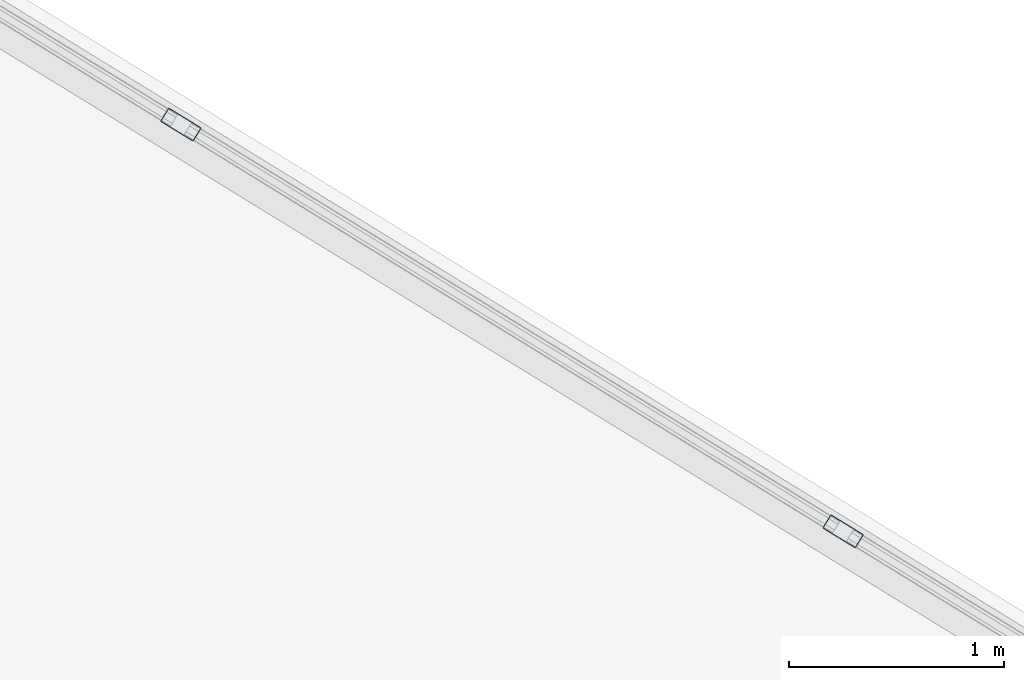
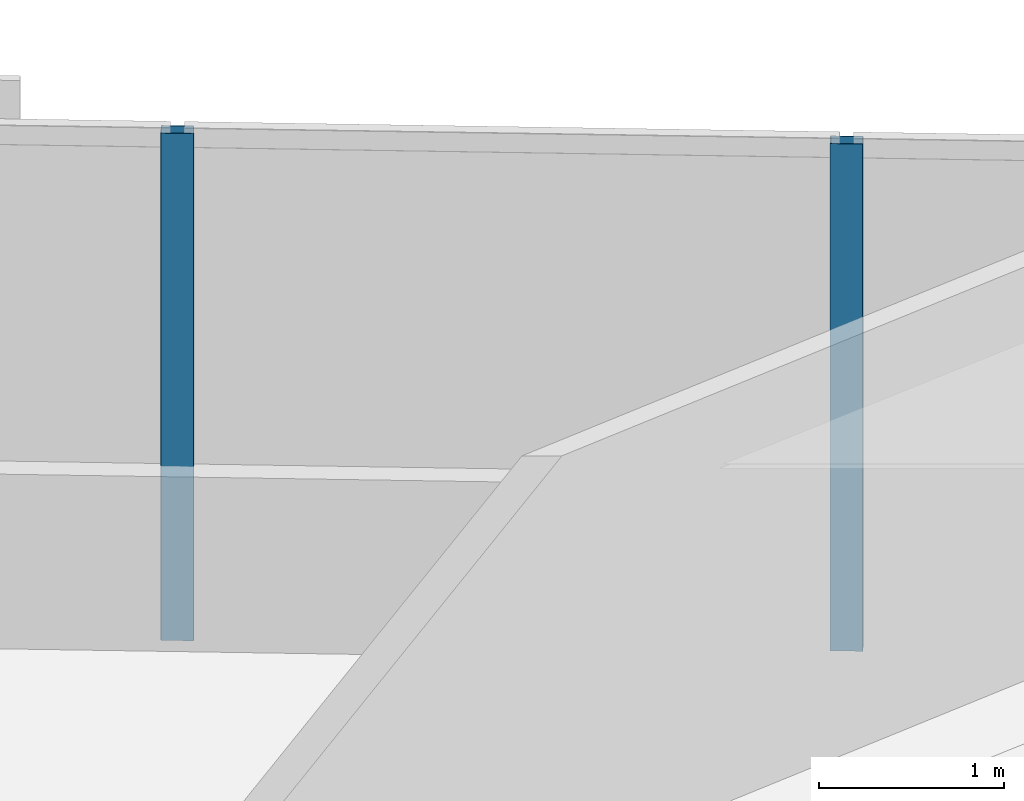
# One storey, part 8 of 18: 2 members, 1 element without a shape of its own.
"""IFC4 building model written with IfcOpenShell, lengths in metres."""

from ifc_helpers import new_model, si_unit, direction, frame, origin, origin_2d, place, context, subcontext, project, spatial, hollow_rectangle, extrude, material, material_profile, profile_set, type_object, element, aggregate, save


model = new_model("IFC4")

# Units and contexts
model_context = context("Model", 3, precision=1e-05, world=origin(), true_north=direction((0.0, 1.0)))
body_context = subcontext(model_context, "Body", "Model", "MODEL_VIEW")
ifc_project = project(units=[si_unit("LENGTHUNIT", "METRE"), si_unit("AREAUNIT", "SQUARE_METRE"), si_unit("VOLUMEUNIT", "CUBIC_METRE"), si_unit("PLANEANGLEUNIT", "RADIAN"), si_unit("MASSUNIT", "GRAM", prefix="KILO")], contexts=[model_context])

# Site, building, storey
site_placement = place(None, origin())
site = spatial("IfcSite", under=ifc_project, at=site_placement, CompositionType="ELEMENT")
building_placement = place(site_placement, origin())
building = spatial("IfcBuilding", under=site, at=building_placement, Name="Narakoshi Arena Tower", CompositionType="ELEMENT")
storey_placement = place(building_placement, frame((0.0, 0.0, 102.89990234375)))
storey = spatial("IfcBuildingStorey", under=building, at=storey_placement, Name="L27", CompositionType="ELEMENT", Elevation=102.89990234375)

# Curtain wall, members
ifc_material = material(Name="Anodised bronze aluminium 6063-T6", Category="aluminium")
curtain_wall_type = type_object("IfcCurtainWallType", Name="CW-HYP-LOW", PredefinedType="NOTDEFINED", material=ifc_material)
curtain_wall_placement = place(storey_placement, origin())
curtain_wall = element("IfcCurtainWall", 1, at=curtain_wall_placement, inside=storey, type_object=curtain_wall_type, Name="L27 Folded Hypotenuse Curtain Wall 1-1", PredefinedType="NOTDEFINED")
ifc_material_profile = material_profile(ifc_material, hollow_rectangle(XDim=0.074951171875, YDim=0.179931640625, WallThickness=0.00390625, OuterFilletRadius=0.0048828125, at=origin_2d()), Name="MUL180x75x4")
ifc_profile_set = profile_set([ifc_material_profile], Name="Anodised bronze aluminium 6063-T6")
member_type = type_object("IfcMemberType", Name="MEM-MUL-180", PredefinedType="MULLION", material=ifc_profile_set)
member_1_placement = place(storey_placement, frame((109.9638671875, 49.1982421875, 0.0), z_axis=(0.0, 0.0, 1.0), x_axis=(-0.523357676535, -0.852113104237, 0.0)))
member_1 = element("IfcMember", 2, at=member_1_placement, type_object=member_type, Name="CW-01 mullion 4", PredefinedType="MULLION", context=body_context, shape_type="SweptSolid", body=[
    extrude(hollow_rectangle(XDim=0.074951171875, YDim=0.179931640625, WallThickness=0.00390625, OuterFilletRadius=0.0048828125, at=origin_2d()), origin(), (0.0, 0.0, 1.0), 3.340087890625),
])
member_2_placement = place(storey_placement, frame((106.886962890625, 51.088134765625, 0.0), z_axis=(0.0, 0.0, 1.0), x_axis=(-0.523357676535, -0.852113104237, 0.0)))
member_2 = element("IfcMember", 3, at=member_2_placement, type_object=member_type, Name="CW-01 mullion 5", PredefinedType="MULLION", context=body_context, shape_type="SweptSolid", body=[
    extrude(hollow_rectangle(XDim=0.074951171875, YDim=0.179931640625, WallThickness=0.00390625, OuterFilletRadius=0.0048828125, at=origin_2d()), origin(), (0.0, 0.0, 1.0), 3.340087890625),
])
aggregate(curtain_wall, [member_1, member_2])

save(model, "model.ifc")
